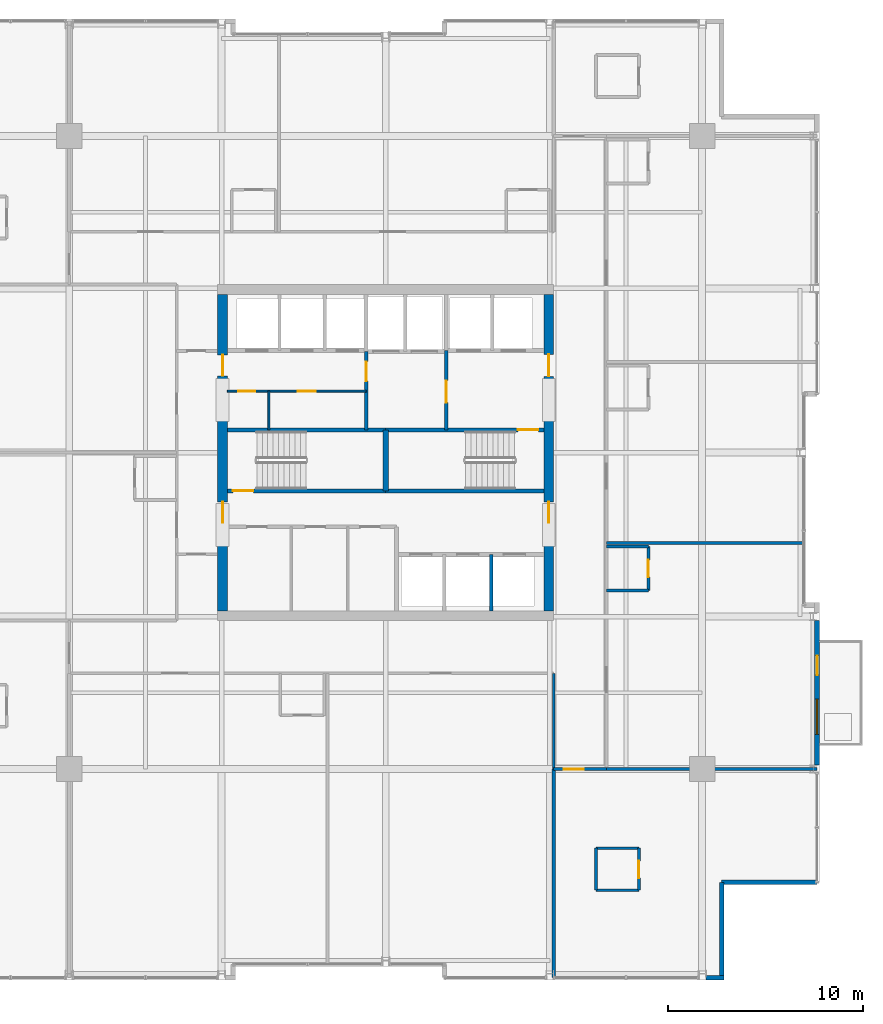
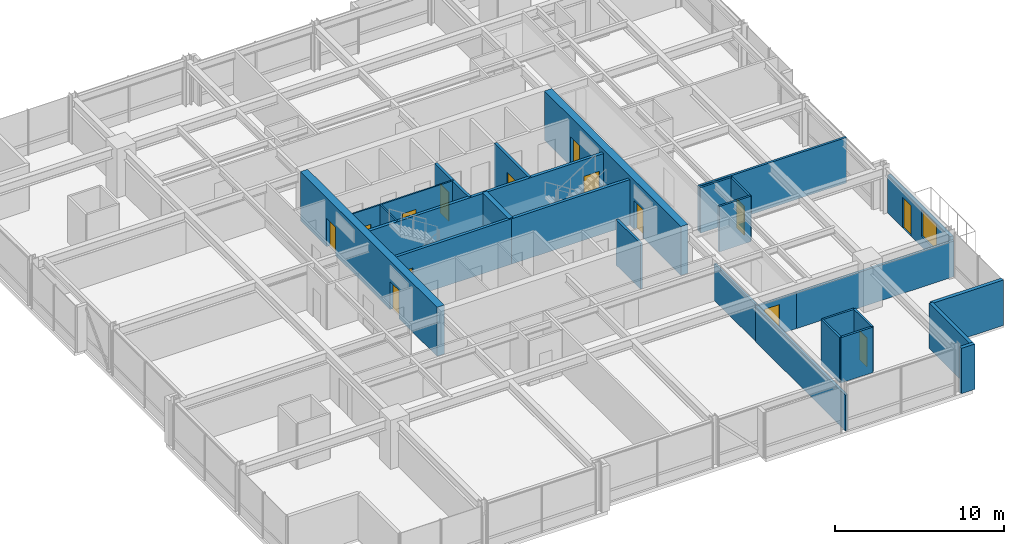
# One storey, part 28 of 33: 28 walls, 14 doors, 1 window, 15 openings.
"""IFC4 building model written with IfcOpenShell, lengths in metres."""

from ifc_helpers import new_model, si_unit, direction, frame, frame_2d, origin, place, context, subcontext, project, spatial, rectangle, extrude, material, layer, layer_set, type_object, element, fill, save


model = new_model("IFC4")

# Units and contexts
model_context = context("Model", 3, precision=1e-05, world=origin(), true_north=direction((0.0, 1.0)))
body_context = subcontext(model_context, "Body", "Model", "MODEL_VIEW")
ifc_project = project(units=[si_unit("LENGTHUNIT", "METRE"), si_unit("AREAUNIT", "SQUARE_METRE"), si_unit("VOLUMEUNIT", "CUBIC_METRE"), si_unit("PLANEANGLEUNIT", "RADIAN"), si_unit("MASSUNIT", "GRAM", prefix="KILO")], contexts=[model_context])

# Site, building, storey
site_placement = place(None, origin())
site = spatial("IfcSite", under=ifc_project, at=site_placement, CompositionType="ELEMENT")
building_placement = place(site_placement, origin())
building = spatial("IfcBuilding", under=site, at=building_placement, Name="Drelvath Grand Hotel", CompositionType="ELEMENT")
storey_placement = place(building_placement, frame((0.0, 0.0, 161.050048828125)))
storey = spatial("IfcBuildingStorey", under=building, at=storey_placement, Name="L41", CompositionType="ELEMENT", Elevation=161.050048828125)

# Wall, openings, doors
ifc_material_1 = material(Name="Gypsum Partition Board")
ifc_layer_1 = layer(ifc_material_1, 0.10009765625)
ifc_layer_set_1 = layer_set([ifc_layer_1], Name="Gypsum Partition Board")
wall_type_1 = type_object("IfcWallType", Name="Core Closet Partition 100", PredefinedType="PARTITIONING", material=ifc_layer_set_1)
wall_1_placement = place(storey_placement, frame((-8.10009765625, 30.139892578125, 0.0), z_axis=(0.0, 0.0, 1.0), x_axis=(1.0, 0.0, 0.0)))
wall_1 = element("IfcWall", 1, at=wall_1_placement, inside=storey, type_object=wall_type_1, Name="L41 High-Rise Lobby Closet Wall", PredefinedType="PARTITIONING", context=body_context, shape_type="SweptSolid", body=[
    extrude(rectangle(XDim=7.10009765625, YDim=0.10009765625, at=frame_2d((3.550048828125, 0.0))), origin(), (0.0, 0.0, 1.0), 3.2900390625),
])
opening_1_placement = place(wall_1_placement, frame((0.550048828125, 0.0, 0.0)))
opening_1 = element("IfcOpeningElement", 2, at=opening_1_placement, cuts=wall_1, Name="Opening D-T3G2-014", PredefinedType="OPENING", context=body_context, shape_type="SweptSolid", body=[
    extrude(rectangle(XDim=0.8798828125, YDim=2.10009765625, at=frame_2d((0.43994140625, 1.050048828125))), frame((0.0, 0.06005859375, 0.0), z_axis=(0.0, -1.0, 0.0), x_axis=(1.0, 0.0, 0.0)), (0.0, 0.0, 1.0), 0.1201171875),
])
opening_2_placement = place(wall_1_placement, frame((3.60009765625, 0.0, 0.0)))
opening_2 = element("IfcOpeningElement", 3, at=opening_2_placement, cuts=wall_1, Name="Opening D-T3G2-015", PredefinedType="OPENING", context=body_context, shape_type="SweptSolid", body=[
    extrude(rectangle(XDim=0.919921875, YDim=2.10009765625, at=frame_2d((0.4599609375, 1.050048828125))), frame((0.0, 0.06005859375, 0.0), z_axis=(0.0, -1.0, 0.0), x_axis=(1.0, 0.0, 0.0)), (0.0, 0.0, 1.0), 0.1201171875),
])
ifc_material_2 = material(Name="Hardwood Walnut Timber", Category="wood")
door_type_1 = type_object("IfcDoorType", Name="En-Suite Bathroom Door 880x2100", OperationType="NOTDEFINED", PredefinedType="DOOR", material=ifc_material_2)
door_1_placement = place(opening_1_placement, origin())
door_1 = element("IfcDoor", 4, at=door_1_placement, inside=storey, type_object=door_type_1, Name="L41 Low-Voltage Closet Door", OperationType="SINGLE_SWING_LEFT", OverallHeight=2.10009765625, OverallWidth=0.8798828125, PredefinedType="DOOR", context=body_context, shape_type="SweptSolid", body=[
    extrude(rectangle(XDim=0.8798828125, YDim=2.10009765625, at=frame_2d((0.43994140625, 1.050048828125))), frame((0.0, 0.02490234375, 0.0), z_axis=(0.0, -1.0, 0.0), x_axis=(1.0, 0.0, 0.0)), (0.0, 0.0, 1.0), 0.050048828125),
])
fill(opening_1, door_1)
ifc_material_3 = material(Name="Painted Steel S275", Category="steel")
door_type_2 = type_object("IfcDoorType", Name="Staff Utility Door 920x2100", OperationType="NOTDEFINED", PredefinedType="DOOR", material=ifc_material_3)
door_2_placement = place(opening_2_placement, origin())
door_2 = element("IfcDoor", 5, at=door_2_placement, inside=storey, type_object=door_type_2, Name="L41 Telecom Distribution Door", OperationType="SINGLE_SWING_RIGHT", OverallHeight=2.10009765625, OverallWidth=0.919921875, PredefinedType="DOOR", context=body_context, shape_type="SweptSolid", body=[
    extrude(rectangle(XDim=0.919921875, YDim=2.10009765625, at=frame_2d((0.4599609375, 1.050048828125))), frame((0.0, 0.02490234375, 0.0), z_axis=(0.0, -1.0, 0.0), x_axis=(1.0, 0.0, 0.0)), (0.0, 0.0, 1.0), 0.050048828125),
])
fill(opening_2, door_2)

# Wall
wall_2_placement = place(storey_placement, frame((-5.97998046875, 28.159912109375, 0.0), z_axis=(0.0, 0.0, 1.0), x_axis=(0.0, 1.0, 0.0)))
element("IfcWall", 6, at=wall_2_placement, inside=storey, type_object=wall_type_1, Name="L41 Core Closet Split 2", PredefinedType="PARTITIONING", context=body_context, shape_type="SweptSolid", body=[
    extrude(rectangle(XDim=1.97998046875, YDim=0.10009765625, at=frame_2d((0.989990234375, 0.0))), origin(), (0.0, 0.0, 1.0), 3.2900390625),
])

# Wall, opening, door
ifc_material_4 = material(Name="Concrete C40/50", Category="concrete")
ifc_layer_2 = layer(ifc_material_4, 0.199951171875)
ifc_layer_set_2 = layer_set([ifc_layer_2], Name="Concrete C40/50")
wall_type_2 = type_object("IfcWallType", Name="Core Shaft Fire Wall 200", PredefinedType="SOLIDWALL", material=ifc_layer_set_2)
wall_3_placement = place(storey_placement, frame((-8.10009765625, 25.0400390625, 0.0), z_axis=(0.0, 0.0, 1.0), x_axis=(1.0, 0.0, 0.0)))
wall_3 = element("IfcWall", 7, at=wall_3_placement, inside=storey, type_object=wall_type_2, Name="L41 Stair ST-1 South Wall", PredefinedType="SOLIDWALL", context=body_context, shape_type="SweptSolid", body=[
    extrude(rectangle(XDim=8.10009765625, YDim=0.199951171875, at=frame_2d((4.050048828125, 0.0))), origin(), (0.0, 0.0, 1.0), 3.2900390625),
])
opening_3_placement = place(wall_3_placement, frame((0.280029296875, 0.0, 0.0)))
opening_3 = element("IfcOpeningElement", 8, at=opening_3_placement, cuts=wall_3, Name="Opening D-T3G2-001", PredefinedType="OPENING", context=body_context, shape_type="SweptSolid", body=[
    extrude(rectangle(XDim=1.050048828125, YDim=2.10009765625, at=frame_2d((0.52490234375, 1.050048828125))), frame((0.0, 0.10986328125, 0.0), z_axis=(0.0, -1.0, 0.0), x_axis=(1.0, 0.0, 0.0)), (0.0, 0.0, 1.0), 0.219970703125),
])
door_type_3 = type_object("IfcDoorType", Name="Tower Stairwell Fire Door 1050x2100", OperationType="NOTDEFINED", PredefinedType="DOOR", material=ifc_material_3)
door_3_placement = place(opening_3_placement, origin())
door_3 = element("IfcDoor", 9, at=door_3_placement, inside=storey, type_object=door_type_3, Name="L41 Exit Stair ST-1 Door", OperationType="SINGLE_SWING_LEFT", OverallHeight=2.10009765625, OverallWidth=1.050048828125, PredefinedType="DOOR", context=body_context, shape_type="SweptSolid", body=[
    extrude(rectangle(XDim=1.050048828125, YDim=2.10009765625, at=frame_2d((0.52490234375, 1.050048828125))), frame((0.0, 0.02490234375, 0.0), z_axis=(0.0, -1.0, 0.0), x_axis=(1.0, 0.0, 0.0)), (0.0, 0.0, 1.0), 0.050048828125),
])
fill(opening_3, door_3)

# Walls
for number, where, z_axis, x_axis, name in (
    (10, (-8.10009765625, 28.159912109375, 0.0), (0.0, 0.0, 1.0), (1.0, 0.0, 0.0), "L41 Stair ST-1 North Wall"),
    (11, (0.0, 25.0400390625, 0.0), (0.0, 0.0, 1.0), (1.0, 0.0, 0.0), "L41 Stair ST-2 South Wall"),
):
    element("IfcWall", number, at=place(storey_placement, frame(where, z_axis=z_axis, x_axis=x_axis)), inside=storey, type_object=wall_type_2, Name=name, PredefinedType="SOLIDWALL", context=body_context, shape_type="SweptSolid", body=[
        extrude(rectangle(XDim=8.10009765625, YDim=0.199951171875, at=frame_2d((4.050048828125, 0.0))), origin(), (0.0, 0.0, 1.0), 3.2900390625),
    ])

# Wall, opening, door
wall_4_placement = place(storey_placement, frame((8.10009765625, 28.159912109375, 0.0), z_axis=(0.0, 0.0, 1.0), x_axis=(-1.0, 0.0, 0.0)))
wall_4 = element("IfcWall", 12, at=wall_4_placement, inside=storey, type_object=wall_type_2, Name="L41 Stair ST-2 North Wall", PredefinedType="SOLIDWALL", context=body_context, shape_type="SweptSolid", body=[
    extrude(rectangle(XDim=8.10009765625, YDim=0.199951171875, at=frame_2d((4.050048828125, 0.0))), origin(), (0.0, 0.0, 1.0), 3.2900390625),
])
opening_4_placement = place(wall_4_placement, frame((0.280029296875, 0.0, 0.0)))
opening_4 = element("IfcOpeningElement", 13, at=opening_4_placement, cuts=wall_4, Name="Opening D-T3G2-002", PredefinedType="OPENING", context=body_context, shape_type="SweptSolid", body=[
    extrude(rectangle(XDim=1.050048828125, YDim=2.10009765625, at=frame_2d((0.52490234375, 1.050048828125))), frame((0.0, 0.10986328125, 0.0), z_axis=(0.0, -1.0, 0.0), x_axis=(1.0, 0.0, 0.0)), (0.0, 0.0, 1.0), 0.219970703125),
])
door_4_placement = place(opening_4_placement, origin())
door_4 = element("IfcDoor", 14, at=door_4_placement, inside=storey, type_object=door_type_3, Name="L41 Exit Stair ST-2 Door", OperationType="SINGLE_SWING_LEFT", OverallHeight=2.10009765625, OverallWidth=1.050048828125, PredefinedType="DOOR", context=body_context, shape_type="SweptSolid", body=[
    extrude(rectangle(XDim=1.050048828125, YDim=2.10009765625, at=frame_2d((0.52490234375, 1.050048828125))), frame((0.0, 0.02490234375, 0.0), z_axis=(0.0, -1.0, 0.0), x_axis=(1.0, 0.0, 0.0)), (0.0, 0.0, 1.0), 0.050048828125),
])
fill(opening_4, door_4)

# Walls
ifc_layer_3 = layer(ifc_material_4, 0.300048828125)
ifc_layer_set_3 = layer_set([ifc_layer_3], Name="Concrete C40/50")
wall_type_3 = type_object("IfcWallType", Name="Core Shaft Fire Wall 300", PredefinedType="SOLIDWALL", material=ifc_layer_set_3)
wall_5_placement = place(storey_placement, frame((0.0, 25.0400390625, 0.0), z_axis=(0.0, 0.0, 1.0), x_axis=(0.0, 1.0, 0.0)))
element("IfcWall", 15, at=wall_5_placement, inside=storey, type_object=wall_type_3, Name="L41 Core Stair Divider Wall", PredefinedType="SOLIDWALL", context=body_context, shape_type="SweptSolid", body=[
    extrude(rectangle(XDim=3.119873046875, YDim=0.300048828125, at=frame_2d((1.56005859375, 0.0))), origin(), (0.0, 0.0, 1.0), 3.2900390625),
])
ifc_material_5 = material(Name="Gypsum Fireboard Partition")
ifc_layer_4 = layer(ifc_material_5, 0.1650390625)
ifc_layer_set_4 = layer_set([ifc_layer_4], Name="Gypsum Fireboard Partition")
wall_type_4 = type_object("IfcWallType", Name="Core Shaft Partition 165", PredefinedType="PARTITIONING", material=ifc_layer_set_4)
wall_6_placement = place(storey_placement, frame((5.39990234375, 18.89990234375, 0.0), z_axis=(0.0, 0.0, 1.0), x_axis=(0.0, 1.0, 0.0)))
element("IfcWall", 16, at=wall_6_placement, inside=storey, type_object=wall_type_4, Name="L41 Lift PE-5/6 Divider", PredefinedType="PARTITIONING", context=body_context, shape_type="SweptSolid", body=[
    extrude(rectangle(XDim=2.880126953125, YDim=0.1650390625, at=frame_2d((1.43994140625, 0.0))), origin(), (0.0, 0.0, 1.0), 3.2900390625),
])
ifc_layer_5 = layer(ifc_material_5, 0.135009765625)
ifc_layer_set_5 = layer_set([ifc_layer_5], Name="Gypsum Fireboard Partition")
wall_type_5 = type_object("IfcWallType", Name="Corridor Fire Barrier Wall 135", PredefinedType="PARTITIONING", material=ifc_layer_set_5)
wall_7_placement = place(storey_placement, frame((8.60009765625, 10.800048828125, 0.0), z_axis=(0.0, 0.0, 1.0), x_axis=(0.0, 1.0, 0.0)))
element("IfcWall", 17, at=wall_7_placement, inside=storey, type_object=wall_type_5, Name="L41 East Spine South Inner Wall", PredefinedType="PARTITIONING", context=body_context, shape_type="SweptSolid", body=[
    extrude(rectangle(XDim=4.89990234375, YDim=0.135009765625, at=frame_2d((2.449951171875, 0.0))), origin(), (0.0, 0.0, 1.0), 2.667236328125),
])

# Wall, opening, door
wall_8_placement = place(storey_placement, frame((8.60009765625, 10.800048828125, 0.0), z_axis=(0.0, 0.0, 1.0), x_axis=(1.0, 0.0, 0.0)))
wall_8 = element("IfcWall", 18, at=wall_8_placement, inside=storey, type_object=wall_type_5, Name="L41 East Spine South End", PredefinedType="PARTITIONING", context=body_context, shape_type="SweptSolid", body=[
    extrude(rectangle(XDim=2.699951171875, YDim=0.135009765625, at=frame_2d((1.35009765625, 0.0))), origin(), (0.0, 0.0, 1.0), 2.57958984375),
])
opening_5_placement = place(wall_8_placement, frame((0.52001953125, 0.0, 0.0)))
opening_5 = element("IfcOpeningElement", 19, at=opening_5_placement, cuts=wall_8, Name="Opening D-T3G2-031", PredefinedType="OPENING", context=body_context, shape_type="SweptSolid", body=[
    extrude(rectangle(XDim=1.02001953125, YDim=2.14990234375, at=frame_2d((0.510009765625, 1.074951171875))), frame((0.0, 0.077392578125, 0.0), z_axis=(0.0, -1.0, 0.0), x_axis=(1.0, 0.0, 0.0)), (0.0, 0.0, 1.0), 0.155029296875),
])
door_type_4 = type_object("IfcDoorType", Name="Amenity Meeting Fire Door 1020x2150", OperationType="NOTDEFINED", PredefinedType="DOOR", material=ifc_material_2)
door_5_placement = place(opening_5_placement, origin())
door_5 = element("IfcDoor", 20, at=door_5_placement, inside=storey, type_object=door_type_4, Name="L41 Executive Suite Entry Door", OperationType="SINGLE_SWING_LEFT", OverallHeight=2.14990234375, OverallWidth=1.02001953125, PredefinedType="DOOR", context=body_context, shape_type="SweptSolid", body=[
    extrude(rectangle(XDim=1.02001953125, YDim=2.14990234375, at=frame_2d((0.510009765625, 1.074951171875))), frame((0.0, 0.02490234375, 0.0), z_axis=(0.0, -1.0, 0.0), x_axis=(1.0, 0.0, 0.0)), (0.0, 0.0, 1.0), 0.050048828125),
])
fill(opening_5, door_5)

# Walls
ifc_material_6 = material(Name="Moisture-Resistant Gypsum Board")
ifc_layer_6 = layer(ifc_material_6, 0.139892578125)
ifc_layer_set_6 = layer_set([ifc_layer_6], Name="Moisture-Resistant Gypsum Board")
wall_type_6 = type_object("IfcWallType", Name="En-Suite Plumbing Wall 140", PredefinedType="PLUMBINGWALL", material=ifc_layer_set_6)
for number, where, z_axis, x_axis, name in (
    (21, (10.760009765625, 4.60009765625, 0.0), (0.0, 0.0, 1.0), (1.0, 0.0, 0.0), "L41 Corner En-Suite South"),
    (22, (10.760009765625, 6.75, 0.0), (0.0, 0.0, 1.0), (1.0, 0.0, 0.0), "L41 Corner En-Suite North"),
):
    element("IfcWall", number, at=place(storey_placement, frame(where, z_axis=z_axis, x_axis=x_axis)), inside=storey, type_object=wall_type_6, Name=name, PredefinedType="PLUMBINGWALL", context=body_context, shape_type="SweptSolid", body=[
        extrude(rectangle(XDim=2.199951171875, YDim=0.139892578125, at=frame_2d((1.10009765625, 0.0))), origin(), (0.0, 0.0, 1.0), 3.2900390625),
    ])
wall_9_placement = place(storey_placement, frame((10.760009765625, 4.60009765625, 0.0), z_axis=(0.0, 0.0, 1.0), x_axis=(0.0, 1.0, 0.0)))
element("IfcWall", 23, at=wall_9_placement, inside=storey, type_object=wall_type_6, Name="L41 Corner En-Suite West", PredefinedType="PLUMBINGWALL", context=body_context, shape_type="SweptSolid", body=[
    extrude(rectangle(XDim=2.14990234375, YDim=0.139892578125, at=frame_2d((1.074951171875, 0.0))), origin(), (0.0, 0.0, 1.0), 3.2900390625),
])

# Wall, opening, door
wall_10_placement = place(storey_placement, frame((12.9599609375, 4.60009765625, 0.0), z_axis=(0.0, 0.0, 1.0), x_axis=(0.0, 1.0, 0.0)))
wall_10 = element("IfcWall", 24, at=wall_10_placement, inside=storey, type_object=wall_type_6, Name="L41 Corner En-Suite East", PredefinedType="PLUMBINGWALL", context=body_context, shape_type="SweptSolid", body=[
    extrude(rectangle(XDim=2.14990234375, YDim=0.139892578125, at=frame_2d((1.074951171875, 0.0))), origin(), (0.0, 0.0, 1.0), 3.2900390625),
])
opening_6_placement = place(wall_10_placement, frame((0.6201171875, 0.0, 0.0)))
opening_6 = element("IfcOpeningElement", 25, at=opening_6_placement, cuts=wall_10, Name="Opening D-T3G2-030", PredefinedType="OPENING", context=body_context, shape_type="SweptSolid", body=[
    extrude(rectangle(XDim=0.8798828125, YDim=2.10009765625, at=frame_2d((0.43994140625, 1.050048828125))), frame((0.0, 0.079833984375, 0.0), z_axis=(0.0, -1.0, 0.0), x_axis=(1.0, 0.0, 0.0)), (0.0, 0.0, 1.0), 0.159912109375),
])
door_6_placement = place(opening_6_placement, origin())
door_6 = element("IfcDoor", 26, at=door_6_placement, inside=storey, type_object=door_type_1, Name="L41 Corner En-Suite Door", OperationType="SINGLE_SWING_RIGHT", OverallHeight=2.10009765625, OverallWidth=0.8798828125, PredefinedType="DOOR", context=body_context, shape_type="SweptSolid", body=[
    extrude(rectangle(XDim=0.8798828125, YDim=2.10009765625, at=frame_2d((0.43994140625, 1.050048828125))), frame((0.0, 0.02490234375, 0.0), z_axis=(0.0, -1.0, 0.0), x_axis=(1.0, 0.0, 0.0)), (0.0, 0.0, 1.0), 0.050048828125),
])
fill(opening_6, door_6)

# Walls
for number, where, z_axis, x_axis, name in (
    (27, (11.300048828125, 19.94140625, 0.0), (0.0, 0.0, 1.0), (1.0, 0.0, 0.0), "L41 En-Suite Left Wall"),
    (28, (11.300048828125, 22.19140625, 0.0), (0.0, 0.0, 1.0), (1.0, 0.0, 0.0), "L41 En-Suite Right Wall"),
):
    element("IfcWall", number, at=place(storey_placement, frame(where, z_axis=z_axis, x_axis=x_axis)), inside=storey, type_object=wall_type_6, Name=name, PredefinedType="PLUMBINGWALL", context=body_context, shape_type="SweptSolid", body=[
        extrude(rectangle(XDim=2.14990234375, YDim=0.139892578125, at=frame_2d((1.074951171875, 0.0))), origin(), (0.0, 0.0, 1.0), 3.2900390625),
    ])

# Wall, opening, door
wall_11_placement = place(storey_placement, frame((13.449951171875, 19.94140625, 0.0), z_axis=(0.0, 0.0, 1.0), x_axis=(0.0, 1.0, 0.0)))
wall_11 = element("IfcWall", 29, at=wall_11_placement, inside=storey, type_object=wall_type_6, Name="L41 En-Suite Front Wall", PredefinedType="PLUMBINGWALL", context=body_context, shape_type="SweptSolid", body=[
    extrude(rectangle(XDim=2.25, YDim=0.139892578125, at=frame_2d((1.125, 0.0))), origin(), (0.0, 0.0, 1.0), 3.2900390625),
])
opening_7_placement = place(wall_11_placement, frame((0.68505859375, 0.0, 0.0)))
opening_7 = element("IfcOpeningElement", 30, at=opening_7_placement, cuts=wall_11, Name="Opening D-T3G2-041", PredefinedType="OPENING", context=body_context, shape_type="SweptSolid", body=[
    extrude(rectangle(XDim=0.8798828125, YDim=2.10009765625, at=frame_2d((0.43994140625, 1.050048828125))), frame((0.0, 0.079833984375, 0.0), z_axis=(0.0, -1.0, 0.0), x_axis=(1.0, 0.0, 0.0)), (0.0, 0.0, 1.0), 0.159912109375),
])
door_7_placement = place(opening_7_placement, origin())
door_7 = element("IfcDoor", 31, at=door_7_placement, inside=storey, type_object=door_type_1, Name="L41 En-Suite Bathroom Door", OperationType="SINGLE_SWING_LEFT", OverallHeight=2.10009765625, OverallWidth=0.8798828125, PredefinedType="DOOR", context=body_context, shape_type="SweptSolid", body=[
    extrude(rectangle(XDim=0.8798828125, YDim=2.10009765625, at=frame_2d((0.43994140625, 1.050048828125))), frame((0.0, 0.02490234375, 0.0), z_axis=(0.0, -1.0, 0.0), x_axis=(1.0, 0.0, 0.0)), (0.0, 0.0, 1.0), 0.050048828125),
])
fill(opening_7, door_7)

ifc_layer_7 = layer(ifc_material_5, 0.179931640625)
ifc_layer_set_7 = layer_set([ifc_layer_7], Name="Gypsum Fireboard Partition")
wall_type_7 = type_object("IfcWallType", Name="FSAE Smoke Lobby Fire Wall 180", PredefinedType="SOLIDWALL", material=ifc_layer_set_7)
wall_12_placement = place(storey_placement, frame((3.10009765625, 28.159912109375, 0.0), z_axis=(0.0, 0.0, 1.0), x_axis=(0.0, 1.0, 0.0)))
wall_12 = element("IfcWall", 32, at=wall_12_placement, inside=storey, type_object=wall_type_7, Name="L41 FSAE Smoke Lobby West Wall", PredefinedType="SOLIDWALL", context=body_context, shape_type="SweptSolid", body=[
    extrude(rectangle(XDim=4.06005859375, YDim=0.179931640625, at=frame_2d((2.030029296875, 0.0))), origin(), (0.0, 0.0, 1.0), 3.2900390625),
])
opening_8_placement = place(wall_12_placement, frame((1.39990234375, 0.0, 0.0)))
opening_8 = element("IfcOpeningElement", 33, at=opening_8_placement, cuts=wall_12, Name="Opening D-T3G2-005", PredefinedType="OPENING", context=body_context, shape_type="SweptSolid", body=[
    extrude(rectangle(XDim=1.1201171875, YDim=2.10009765625, at=frame_2d((0.56005859375, 1.050048828125))), frame((0.0, 0.099853515625, 0.0), z_axis=(0.0, -1.0, 0.0), x_axis=(1.0, 0.0, 0.0)), (0.0, 0.0, 1.0), 0.199951171875),
])
door_type_5 = type_object("IfcDoorType", Name="FSAE Smoke Lobby Fire Door 1120x2100", OperationType="NOTDEFINED", PredefinedType="DOOR", material=ifc_material_3)
door_8_placement = place(opening_8_placement, origin())
door_8 = element("IfcDoor", 34, at=door_8_placement, inside=storey, type_object=door_type_5, Name="L41 FSAE Lobby Service Vestibule Door", OperationType="SINGLE_SWING_RIGHT", OverallHeight=2.10009765625, OverallWidth=1.1201171875, PredefinedType="DOOR", context=body_context, shape_type="SweptSolid", body=[
    extrude(rectangle(XDim=1.1201171875, YDim=2.10009765625, at=frame_2d((0.56005859375, 1.050048828125))), frame((0.0, 0.02490234375, 0.0), z_axis=(0.0, -1.0, 0.0), x_axis=(1.0, 0.0, 0.0)), (0.0, 0.0, 1.0), 0.050048828125),
])
fill(opening_8, door_8)

wall_13_placement = place(storey_placement, frame((-1.0, 28.159912109375, 0.0), z_axis=(0.0, 0.0, 1.0), x_axis=(0.0, 1.0, 0.0)))
wall_13 = element("IfcWall", 35, at=wall_13_placement, inside=storey, type_object=wall_type_7, Name="L41 Service Vestibule West Wall", PredefinedType="SOLIDWALL", context=body_context, shape_type="SweptSolid", body=[
    extrude(rectangle(XDim=4.02001953125, YDim=0.179931640625, at=frame_2d((2.010009765625, 0.0))), origin(), (0.0, 0.0, 1.0), 3.2900390625),
])
opening_9_placement = place(wall_13_placement, frame((2.489990234375, 0.0, 0.0)))
opening_9 = element("IfcOpeningElement", 36, at=opening_9_placement, cuts=wall_13, Name="Opening D-T3G2-009", PredefinedType="OPENING", context=body_context, shape_type="SweptSolid", body=[
    extrude(rectangle(XDim=1.0, YDim=2.10009765625, at=frame_2d((0.5, 1.050048828125))), frame((0.0, 0.099853515625, 0.0), z_axis=(0.0, -1.0, 0.0), x_axis=(1.0, 0.0, 0.0)), (0.0, 0.0, 1.0), 0.199951171875),
])
door_type_6 = type_object("IfcDoorType", Name="Core Service Fire Door 1000x2100", OperationType="NOTDEFINED", PredefinedType="DOOR", material=ifc_material_3)
door_9_placement = place(opening_9_placement, origin())
door_9 = element("IfcDoor", 37, at=door_9_placement, inside=storey, type_object=door_type_6, Name="L41 Service Vestibule West Door", OperationType="SINGLE_SWING_LEFT", OverallHeight=2.10009765625, OverallWidth=1.0, PredefinedType="DOOR", context=body_context, shape_type="SweptSolid", body=[
    extrude(rectangle(XDim=1.0, YDim=2.10009765625, at=frame_2d((0.5, 1.050048828125))), frame((0.0, 0.02490234375, 0.0), z_axis=(0.0, -1.0, 0.0), x_axis=(1.0, 0.0, 0.0)), (0.0, 0.0, 1.0), 0.050048828125),
])
fill(opening_9, door_9)

# Walls
ifc_material_7 = material(Name="Gypsum Acoustic Partition")
ifc_layer_8 = layer(ifc_material_7, 0.14990234375)
ifc_layer_set_8 = layer_set([ifc_layer_8], Name="Gypsum Acoustic Partition")
wall_type_8 = type_object("IfcWallType", Name="Guestroom Demising Wall 150", PredefinedType="PARTITIONING", material=ifc_layer_set_8)
wall_14_placement = place(storey_placement, frame((11.300048828125, 22.371337890625, 0.0), z_axis=(0.0, 0.0, 1.0), x_axis=(1.0, 0.0, 0.0)))
element("IfcWall", 38, at=wall_14_placement, inside=storey, type_object=wall_type_8, Name="L41 East Demising 1", PredefinedType="PARTITIONING", context=body_context, shape_type="SweptSolid", body=[
    extrude(rectangle(XDim=10.099853515625, YDim=0.14990234375, at=frame_2d((5.0498046875, 0.0))), origin(), (0.0, 0.0, 1.0), 3.2900390625),
])
ifc_layer_9 = layer(ifc_material_7, 0.1650390625)
ifc_layer_set_9 = layer_set([ifc_layer_9], Name="Gypsum Acoustic Partition")
wall_type_9 = type_object("IfcWallType", Name="Suite Demising Wall 165", PredefinedType="PARTITIONING", material=ifc_layer_set_9)
wall_15_placement = place(storey_placement, frame((8.60009765625, 0.1201171875, 0.0), z_axis=(0.0, 0.0, 1.0), x_axis=(0.0, 1.0, 0.0)))
element("IfcWall", 39, at=wall_15_placement, inside=storey, type_object=wall_type_9, Name="L41 SE Suite West Wall", PredefinedType="PARTITIONING", context=body_context, shape_type="SweptSolid", body=[
    extrude(rectangle(XDim=10.679931640625, YDim=0.1650390625, at=frame_2d((5.33984375, 0.0))), origin(), (0.0, 0.0, 1.0), 2.57958984375),
])
wall_16_placement = place(storey_placement, frame((11.300048828125, 10.800048828125, 0.0), z_axis=(0.0, 0.0, 1.0), x_axis=(1.0, 0.0, 0.0)))
element("IfcWall", 40, at=wall_16_placement, inside=storey, type_object=wall_type_9, Name="L41 SE Suite North Wall", PredefinedType="PARTITIONING", context=body_context, shape_type="SweptSolid", body=[
    extrude(rectangle(XDim=10.780029296875, YDim=0.1650390625, at=frame_2d((5.39013671875, 0.0))), origin(), (0.0, 0.0, 1.0), 2.57958984375),
])

# Wall, openings, window, door
ifc_material_8 = material(Name="Pale-Metal Insulated Aluminium Spandrel Assembly", Category="aluminium")
ifc_layer_10 = layer(ifc_material_8, 0.239990234375)
ifc_layer_set_10 = layer_set([ifc_layer_10], Name="Pale-Metal Insulated Aluminium Spandrel Assembly")
wall_type_10 = type_object("IfcWallType", Name="Tower Insulated Metal Spandrel Closure Wall 240", PredefinedType="STANDARD", material=ifc_layer_set_10)
wall_17_placement = place(storey_placement, frame((22.080078125, 18.39990234375, 0.0), z_axis=(0.0, 0.0, 1.0), x_axis=(0.0, -1.0, 0.0)))
wall_17 = element("IfcWall", 41, at=wall_17_placement, inside=storey, type_object=wall_type_10, Name="L41 Exterior Terrace Door Bay Wall ES2", PredefinedType="STANDARD", context=body_context, shape_type="SweptSolid", body=[
    extrude(rectangle(XDim=7.39990234375, YDim=0.239990234375, at=frame_2d((3.699951171875, 0.0))), origin(), (0.0, 0.0, 1.0), 2.753173828125),
])
opening_10_placement = place(wall_17_placement, frame((1.800048828125, 0.0, 0.0)))
opening_10 = element("IfcOpeningElement", 42, at=opening_10_placement, cuts=wall_17, Name="Opening TD-1000", PredefinedType="OPENING", context=body_context, shape_type="SweptSolid", body=[
    extrude(rectangle(XDim=1.0, YDim=2.199951171875, at=frame_2d((0.5, 1.10009765625))), frame((0.0, 0.1298828125, 0.0), z_axis=(0.0, -1.0, 0.0), x_axis=(1.0, 0.0, 0.0)), (0.0, 0.0, 1.0), 0.260009765625),
])
opening_11_placement = place(wall_17_placement, frame((4.02490234375, 0.0, 0.75)))
opening_11 = element("IfcOpeningElement", 43, at=opening_11_placement, cuts=wall_17, Name="Opening W-02", PredefinedType="OPENING", context=body_context, shape_type="SweptSolid", body=[
    extrude(rectangle(XDim=1.800048828125, YDim=1.9033203125, at=frame_2d((0.89990234375, 0.95166015625))), frame((0.0, 0.1298828125, 0.0), z_axis=(0.0, -1.0, 0.0), x_axis=(1.0, 0.0, 0.0)), (0.0, 0.0, 1.0), 0.260009765625),
])
ifc_material_9 = material(Name="Bronze Anodised Low-E Triple Glazing", Category="glass")
window_type = type_object("IfcWindowType", Name="Chicago Double-Pane Podium Window 1800x2400", PartitioningType="DOUBLE_PANEL_VERTICAL", PredefinedType="WINDOW", material=ifc_material_9)
window_placement = place(opening_11_placement, origin())
window = element("IfcWindow", 44, at=window_placement, inside=storey, type_object=window_type, Name="L41 Terrace Bay Companion Window ES2", OverallHeight=1.9033203125, OverallWidth=1.800048828125, PartitioningType="SINGLE_PANEL", PredefinedType="WINDOW", context=body_context, shape_type="SweptSolid", body=[
    extrude(rectangle(XDim=1.800048828125, YDim=1.9033203125, at=frame_2d((0.89990234375, 0.95166015625))), frame((0.0, 0.030029296875, 0.0), z_axis=(0.0, -1.0, 0.0), x_axis=(1.0, 0.0, 0.0)), (0.0, 0.0, 1.0), 0.06005859375),
])
fill(opening_11, window)
ifc_material_10 = material(Name="Anodised Aluminium Thermally Broken Glazed Door", Category="aluminium")
door_type_7 = type_object("IfcDoorType", Name="Terrace and Tree Balcony Glazed Door 1000x2200", OperationType="NOTDEFINED", PredefinedType="DOOR", material=ifc_material_10)
door_10_placement = place(opening_10_placement, origin())
door_10 = element("IfcDoor", 45, at=door_10_placement, inside=storey, type_object=door_type_7, Name="L41 Tree Balcony Door DOOR-L41-TBAL-1", OperationType="SINGLE_SWING_RIGHT", OverallHeight=2.199951171875, OverallWidth=1.0, PredefinedType="DOOR", context=body_context, shape_type="SweptSolid", body=[
    extrude(rectangle(XDim=1.0, YDim=2.199951171875, at=frame_2d((0.5, 1.10009765625))), frame((0.0, 0.02490234375, 0.0), z_axis=(0.0, -1.0, 0.0), x_axis=(1.0, 0.0, 0.0)), (0.0, 0.0, 1.0), 0.050048828125),
])
fill(opening_10, door_10)

# Walls
wall_18_placement = place(storey_placement, frame((17.320068359375, 0.1201171875, 0.0), z_axis=(0.0, 0.0, 1.0), x_axis=(-1.0, 0.0, 0.0)))
element("IfcWall", 46, at=wall_18_placement, inside=storey, type_object=wall_type_10, Name="L41 Corner Pier Spandrel Wall SE3", PredefinedType="STANDARD", context=body_context, shape_type="SweptSolid", body=[
    extrude(rectangle(XDim=0.919921875, YDim=0.239990234375, at=frame_2d((0.4599609375, 0.0))), origin(), (0.0, 0.0, 1.0), 3.2900390625),
])
wall_19_placement = place(storey_placement, frame((22.080078125, 5.0, 0.0), z_axis=(0.0, 0.0, 1.0), x_axis=(-1.0, 0.0, 0.0)))
element("IfcWall", 47, at=wall_19_placement, inside=storey, type_object=wall_type_10, Name="L41 Notched Corner Return Spandrel Wall CSE1", PredefinedType="STANDARD", context=body_context, shape_type="SweptSolid", body=[
    extrude(rectangle(XDim=4.880126953125, YDim=0.239990234375, at=frame_2d((2.43994140625, 0.0))), origin(), (0.0, 0.0, 1.0), 3.2900390625),
])
wall_20_placement = place(storey_placement, frame((17.199951171875, 5.0, 0.0), z_axis=(0.0, 0.0, 1.0), x_axis=(0.0, -1.0, 0.0)))
element("IfcWall", 48, at=wall_20_placement, inside=storey, type_object=wall_type_10, Name="L41 Notched Corner Return Spandrel Wall CSE2", PredefinedType="STANDARD", context=body_context, shape_type="SweptSolid", body=[
    extrude(rectangle(XDim=4.760009765625, YDim=0.239990234375, at=frame_2d((2.3798828125, 0.0))), origin(), (0.0, 0.0, 1.0), 3.2900390625),
])

# Wall, openings, doors
ifc_material_11 = material(Name="Concrete f'c 55 MPa", Category="concrete")
ifc_layer_11 = layer(ifc_material_11, 0.5)
ifc_layer_set_11 = layer_set([ifc_layer_11], Name="Concrete f'c 55 MPa")
wall_type_11 = type_object("IfcWallType", Name="Upper Core RC Shear Wall 500", PredefinedType="SHEAR", material=ifc_layer_set_11)
wall_21_placement = place(storey_placement, frame((8.35009765625, 35.10009765625, 0.0), z_axis=(0.0, 0.0, 1.0), x_axis=(0.0, -1.0, 0.0)))
wall_21 = element("IfcWall", 49, at=wall_21_placement, inside=storey, type_object=wall_type_11, Name="L41 Central Core Shear Wall E", PredefinedType="SHEAR", context=body_context, shape_type="SweptSolid", body=[
    extrude(rectangle(XDim=16.2001953125, YDim=0.5, at=frame_2d((8.10009765625, 0.0))), origin(), (0.0, 0.0, 1.0), 3.550048828125),
])
opening_12_placement = place(wall_21_placement, frame((3.080078125, 0.0, 0.0)))
opening_12 = element("IfcOpeningElement", 50, at=opening_12_placement, cuts=wall_21, Name="Opening D-T3G2-006", PredefinedType="OPENING", context=body_context, shape_type="SweptSolid", body=[
    extrude(rectangle(XDim=1.1201171875, YDim=2.10009765625, at=frame_2d((0.56005859375, 1.050048828125))), frame((0.0, 0.260009765625, 0.0), z_axis=(0.0, -1.0, 0.0), x_axis=(1.0, 0.0, 0.0)), (0.0, 0.0, 1.0), 0.52001953125),
])
opening_13_placement = place(wall_21_placement, frame((10.6201171875, 0.0, 0.0)))
opening_13 = element("IfcOpeningElement", 51, at=opening_13_placement, cuts=wall_21, Name="Opening D-T3G2-020", PredefinedType="OPENING", context=body_context, shape_type="SweptSolid", body=[
    extrude(rectangle(XDim=1.080078125, YDim=2.0400390625, at=frame_2d((0.5400390625, 1.02001953125))), frame((0.0, 0.260009765625, 0.0), z_axis=(0.0, -1.0, 0.0), x_axis=(1.0, 0.0, 0.0)), (0.0, 0.0, 1.0), 0.52001953125),
])
door_type_8 = type_object("IfcDoorType", Name="Core Corridor Fire Door 1080x2100", OperationType="NOTDEFINED", PredefinedType="DOOR", material=ifc_material_3)
door_11_placement = place(opening_13_placement, origin())
door_11 = element("IfcDoor", 52, at=door_11_placement, inside=storey, type_object=door_type_8, Name="L41 Mid-Rise Lobby East Door", OperationType="SINGLE_SWING_RIGHT", OverallHeight=2.0400390625, OverallWidth=1.080078125, PredefinedType="DOOR", context=body_context, shape_type="SweptSolid", body=[
    extrude(rectangle(XDim=1.080078125, YDim=2.0400390625, at=frame_2d((0.5400390625, 1.02001953125))), frame((0.0, 0.02490234375, 0.0), z_axis=(0.0, -1.0, 0.0), x_axis=(1.0, 0.0, 0.0)), (0.0, 0.0, 1.0), 0.050048828125),
])
fill(opening_13, door_11)
door_12_placement = place(opening_12_placement, origin())
door_12 = element("IfcDoor", 53, at=door_12_placement, inside=storey, type_object=door_type_5, Name="L41 FSAE Lobby East Corridor Door", OperationType="SINGLE_SWING_LEFT", OverallHeight=2.10009765625, OverallWidth=1.1201171875, PredefinedType="DOOR", context=body_context, shape_type="SweptSolid", body=[
    extrude(rectangle(XDim=1.1201171875, YDim=2.10009765625, at=frame_2d((0.56005859375, 1.050048828125))), frame((0.0, 0.02490234375, 0.0), z_axis=(0.0, -1.0, 0.0), x_axis=(1.0, 0.0, 0.0)), (0.0, 0.0, 1.0), 0.050048828125),
])
fill(opening_12, door_12)

wall_22_placement = place(storey_placement, frame((-8.35009765625, 18.89990234375, 0.0), z_axis=(0.0, 0.0, 1.0), x_axis=(0.0, 1.0, 0.0)))
wall_22 = element("IfcWall", 54, at=wall_22_placement, inside=storey, type_object=wall_type_11, Name="L41 Central Core Shear Wall W", PredefinedType="SHEAR", context=body_context, shape_type="SweptSolid", body=[
    extrude(rectangle(XDim=16.2001953125, YDim=0.5, at=frame_2d((8.10009765625, 0.0))), origin(), (0.0, 0.0, 1.0), 3.550048828125),
])
opening_14_placement = place(wall_22_placement, frame((12.02001953125, 0.0, 0.0)))
opening_14 = element("IfcOpeningElement", 55, at=opening_14_placement, cuts=wall_22, Name="Opening D-T3G2-013", PredefinedType="OPENING", context=body_context, shape_type="SweptSolid", body=[
    extrude(rectangle(XDim=1.080078125, YDim=2.0400390625, at=frame_2d((0.5400390625, 1.02001953125))), frame((0.0, 0.260009765625, 0.0), z_axis=(0.0, -1.0, 0.0), x_axis=(1.0, 0.0, 0.0)), (0.0, 0.0, 1.0), 0.52001953125),
])
opening_15_placement = place(wall_22_placement, frame((4.5, 0.0, 0.0)))
opening_15 = element("IfcOpeningElement", 56, at=opening_15_placement, cuts=wall_22, Name="Opening D-T3G2-019", PredefinedType="OPENING", context=body_context, shape_type="SweptSolid", body=[
    extrude(rectangle(XDim=1.080078125, YDim=2.0400390625, at=frame_2d((0.5400390625, 1.02001953125))), frame((0.0, 0.260009765625, 0.0), z_axis=(0.0, -1.0, 0.0), x_axis=(1.0, 0.0, 0.0)), (0.0, 0.0, 1.0), 0.52001953125),
])
door_13_placement = place(opening_14_placement, origin())
door_13 = element("IfcDoor", 57, at=door_13_placement, inside=storey, type_object=door_type_8, Name="L41 High-Rise Lift Lobby West Door", OperationType="SINGLE_SWING_RIGHT", OverallHeight=2.0400390625, OverallWidth=1.080078125, PredefinedType="DOOR", context=body_context, shape_type="SweptSolid", body=[
    extrude(rectangle(XDim=1.080078125, YDim=2.0400390625, at=frame_2d((0.5400390625, 1.02001953125))), frame((0.0, 0.02490234375, 0.0), z_axis=(0.0, -1.0, 0.0), x_axis=(1.0, 0.0, 0.0)), (0.0, 0.0, 1.0), 0.050048828125),
])
fill(opening_14, door_13)
door_14_placement = place(opening_15_placement, origin())
door_14 = element("IfcDoor", 58, at=door_14_placement, inside=storey, type_object=door_type_8, Name="L41 Mid-Rise Lobby West Door", OperationType="SINGLE_SWING_LEFT", OverallHeight=2.0400390625, OverallWidth=1.080078125, PredefinedType="DOOR", context=body_context, shape_type="SweptSolid", body=[
    extrude(rectangle(XDim=1.080078125, YDim=2.0400390625, at=frame_2d((0.5400390625, 1.02001953125))), frame((0.0, 0.02490234375, 0.0), z_axis=(0.0, -1.0, 0.0), x_axis=(1.0, 0.0, 0.0)), (0.0, 0.0, 1.0), 0.050048828125),
])
fill(opening_15, door_14)

save(model, "model.ifc")
